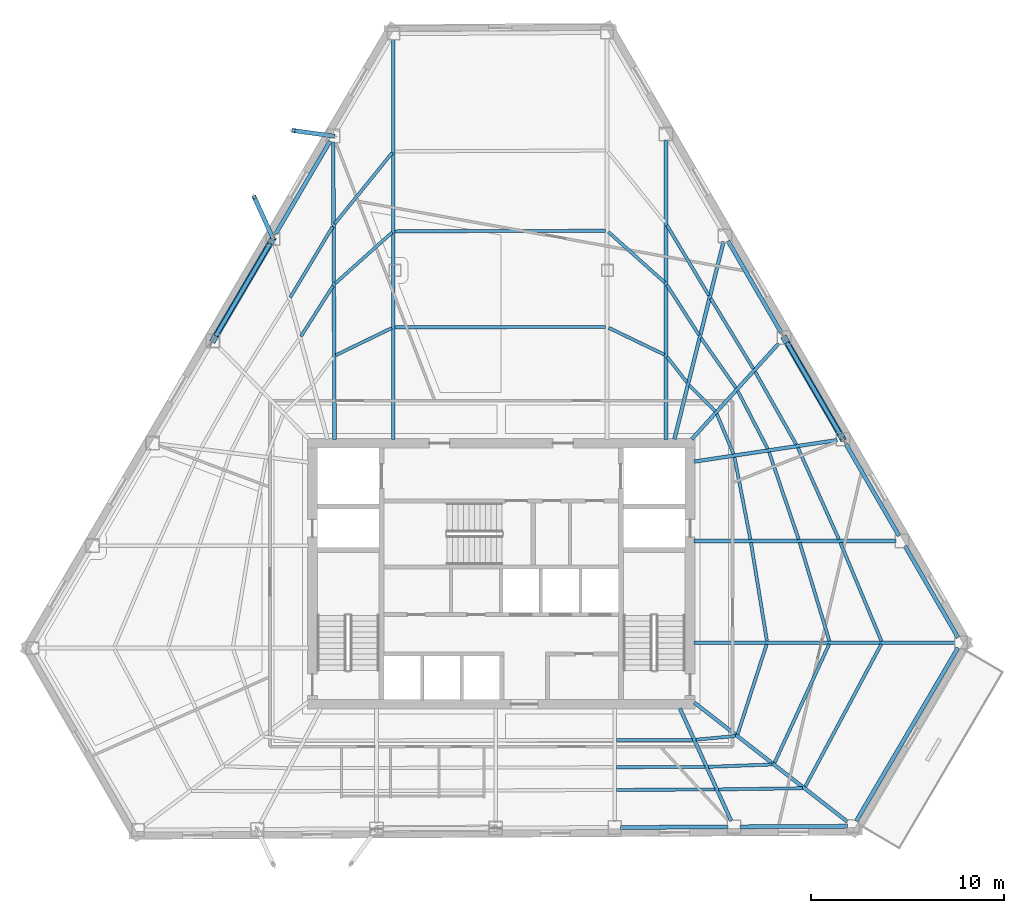
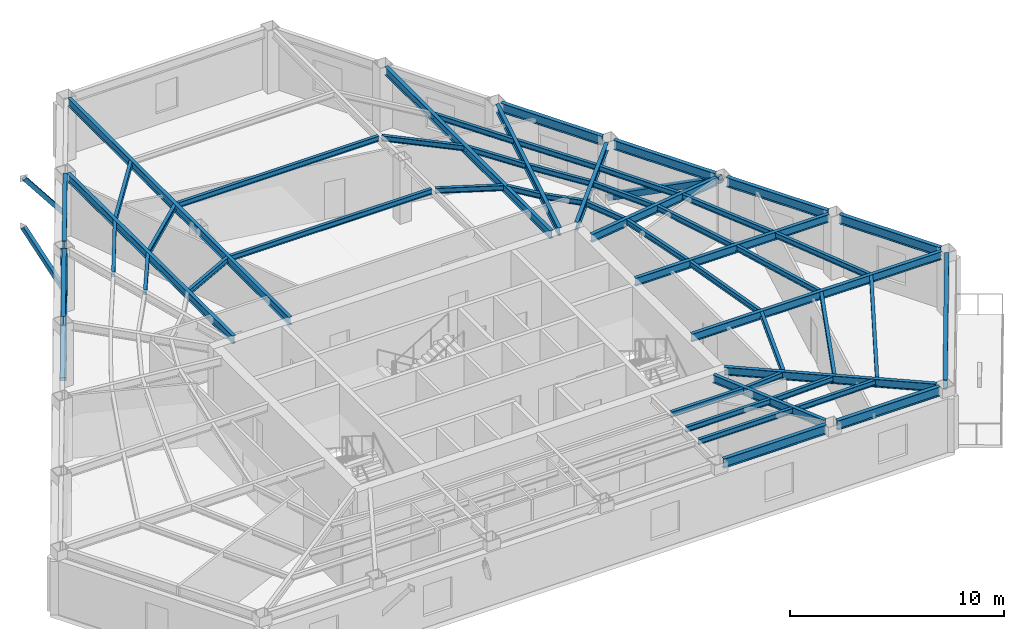
# One storey, part 2 of 11: 52 beams, 4 members.
"""IFC4 building model written with IfcOpenShell, lengths in metres."""

from ifc_helpers import new_model, si_unit, direction, frame, origin, origin_2d, place, context, subcontext, project, spatial, hollow_rectangle, i_section, extrude, material, material_profile, profile_set, type_object, element, save


model = new_model("IFC4")

# Units and contexts
model_context = context("Model", 3, precision=1e-05, world=origin(), true_north=direction((0.0, 1.0)))
body_context = subcontext(model_context, "Body", "Model", "MODEL_VIEW")
ifc_project = project(units=[si_unit("LENGTHUNIT", "METRE"), si_unit("AREAUNIT", "SQUARE_METRE"), si_unit("VOLUMEUNIT", "CUBIC_METRE"), si_unit("PLANEANGLEUNIT", "RADIAN"), si_unit("MASSUNIT", "GRAM", prefix="KILO")], contexts=[model_context])

# Site, building, storey
site_placement = place(None, origin())
site = spatial("IfcSite", under=ifc_project, at=site_placement, CompositionType="ELEMENT")
building_placement = place(site_placement, origin())
building = spatial("IfcBuilding", under=site, at=building_placement, Name="Kavelnor Concourse Tower", CompositionType="ELEMENT")
storey_placement = place(building_placement, frame((0.0, 0.0, 139.39990234375)))
storey = spatial("IfcBuildingStorey", under=building, at=storey_placement, Name="L35", CompositionType="ELEMENT", Elevation=139.39990234375)

# Beams
ifc_material = material(Name="Steel Grade 350", Category="steel")
ifc_material_profile_1 = material_profile(ifc_material, i_section(OverallWidth=0.166015625, OverallDepth=0.306884765625, WebThickness=0.006591796875, FlangeThickness=0.01171875, at=origin_2d()), Name="310UB46")
ifc_profile_set_1 = profile_set([ifc_material_profile_1], Name="Steel Grade 350")
beam_type_1 = type_object("IfcBeamType", Name="BM-JOIST-310", PredefinedType="JOIST", material=ifc_profile_set_1)
beam_1_placement = place(storey_placement, frame((43.964111328125, 7.49609375, 3.446533203125), z_axis=(0.999998150204, 0.001923431324, 0.0), x_axis=(-0.001923431324, 0.999998150204, 0.0)))
element("IfcBeam", 1, at=beam_1_placement, inside=storey, type_object=beam_type_1, Name="L35 Secondary Composite Joist 06-1", PredefinedType="JOIST", context=body_context, shape_type="SweptSolid", body=[
    extrude(i_section(OverallWidth=0.166015625, OverallDepth=0.306884765625, WebThickness=0.006591796875, FlangeThickness=0.01171875, at=origin_2d()), origin(), (0.0, 0.0, 1.0), 3.934814453125),
])
beam_2_placement = place(storey_placement, frame((43.964111328125, 6.0869140625, 3.446533203125), z_axis=(0.999992818404, 0.003789873498, 0.0), x_axis=(-0.003789873498, 0.999992818404, 0.0)))
element("IfcBeam", 2, at=beam_2_placement, inside=storey, type_object=beam_type_1, Name="L35 Secondary Composite Joist 06-2", PredefinedType="JOIST", context=body_context, shape_type="SweptSolid", body=[
    extrude(i_section(OverallWidth=0.166015625, OverallDepth=0.306884765625, WebThickness=0.006591796875, FlangeThickness=0.01171875, at=origin_2d()), origin(), (0.0, 0.0, 1.0), 4.57373046875),
])
beam_3_placement = place(storey_placement, frame((43.964111328125, 4.91259765625, 3.446533203125), z_axis=(0.999987637312, 0.004972446296, 0.0), x_axis=(-0.004972446296, 0.999987637312, 0.0)))
element("IfcBeam", 3, at=beam_3_placement, inside=storey, type_object=beam_type_1, Name="L35 Secondary Composite Joist 06-3", PredefinedType="JOIST", context=body_context, shape_type="SweptSolid", body=[
    extrude(i_section(OverallWidth=0.166015625, OverallDepth=0.306884765625, WebThickness=0.006591796875, FlangeThickness=0.01171875, at=origin_2d()), origin(), (0.0, 0.0, 1.0), 5.106201171875),
])
beam_4_placement = place(storey_placement, frame((48.076416015625, 7.51220703125, 3.446533203125), z_axis=(0.995668430076, 0.092975143716, 0.0), x_axis=(-0.092975143716, 0.995668430076, 0.0)))
element("IfcBeam", 4, at=beam_4_placement, inside=storey, type_object=beam_type_1, Name="L35 Secondary Composite Joist 07-1", PredefinedType="JOIST", context=body_context, shape_type="SweptSolid", body=[
    extrude(i_section(OverallWidth=0.166015625, OverallDepth=0.306884765625, WebThickness=0.006591796875, FlangeThickness=0.01171875, at=origin_2d()), origin(), (0.0, 0.0, 1.0), 2.048095703125),
])
beam_5_placement = place(storey_placement, frame((48.7158203125, 6.10791015625, 3.446533203125), z_axis=(0.999321604394, 0.036828399244, 0.0), x_axis=(-0.036828399244, 0.999321604394, 0.0)))
element("IfcBeam", 5, at=beam_5_placement, inside=storey, type_object=beam_type_1, Name="L35 Secondary Composite Joist 07-2", PredefinedType="JOIST", context=body_context, shape_type="SweptSolid", body=[
    extrude(i_section(OverallWidth=0.166015625, OverallDepth=0.306884765625, WebThickness=0.006591796875, FlangeThickness=0.01171875, at=origin_2d()), origin(), (0.0, 0.0, 1.0), 3.30126953125),
])
beam_6_placement = place(storey_placement, frame((49.248291015625, 4.939697265625, 3.446533203125), z_axis=(0.999903909401, 0.013862610329, 0.0), x_axis=(-0.013862610329, 0.999903909401, 0.0)))
element("IfcBeam", 6, at=beam_6_placement, inside=storey, type_object=beam_type_1, Name="L35 Secondary Composite Joist 07-3", PredefinedType="JOIST", context=body_context, shape_type="SweptSolid", body=[
    extrude(i_section(OverallWidth=0.166015625, OverallDepth=0.306884765625, WebThickness=0.006591796875, FlangeThickness=0.01171875, at=origin_2d()), origin(), (0.0, 0.0, 1.0), 4.35009765625),
])
beam_7_placement = place(storey_placement, frame((50.231689453125, 7.79541015625, 3.446533203125), z_axis=(0.307486789029, 0.951552349886, 0.0), x_axis=(-0.951552349886, 0.307486789029, 0.0)))
element("IfcBeam", 7, at=beam_7_placement, inside=storey, type_object=beam_type_1, Name="L35 Secondary Composite Joist 08-1", PredefinedType="JOIST", context=body_context, shape_type="SweptSolid", body=[
    extrude(i_section(OverallWidth=0.166015625, OverallDepth=0.306884765625, WebThickness=0.006591796875, FlangeThickness=0.01171875, at=origin_2d()), origin(), (0.0, 0.0, 1.0), 4.892578125),
])
beam_8_placement = place(storey_placement, frame((52.14111328125, 6.313720703125, 3.446533203125), z_axis=(0.418297783782, 0.908309949347, 0.0), x_axis=(-0.908309949347, 0.418297783782, 0.0)))
element("IfcBeam", 8, at=beam_8_placement, inside=storey, type_object=beam_type_1, Name="L35 Secondary Composite Joist 08-2", PredefinedType="JOIST", context=body_context, shape_type="SweptSolid", body=[
    extrude(i_section(OverallWidth=0.166015625, OverallDepth=0.306884765625, WebThickness=0.006591796875, FlangeThickness=0.01171875, at=origin_2d()), origin(), (0.0, 0.0, 1.0), 6.760986328125),
])
beam_9_placement = place(storey_placement, frame((53.728759765625, 5.07958984375, 3.446533203125), z_axis=(0.470910942117, 0.882180755058, 0.0), x_axis=(-0.882180755058, 0.470910942117, 0.0)))
element("IfcBeam", 9, at=beam_9_placement, inside=storey, type_object=beam_type_1, Name="L35 Secondary Composite Joist 08-3", PredefinedType="JOIST", context=body_context, shape_type="SweptSolid", body=[
    extrude(i_section(OverallWidth=0.166015625, OverallDepth=0.306884765625, WebThickness=0.006591796875, FlangeThickness=0.01171875, at=origin_2d()), origin(), (0.0, 0.0, 1.0), 8.363037109375),
])
beam_10_placement = place(storey_placement, frame((51.749267578125, 12.62353515625, 3.446533203125), z_axis=(-0.160341843233, 0.987061544843, 0.0), x_axis=(-0.987061544843, -0.160341843233, 0.0)))
element("IfcBeam", 10, at=beam_10_placement, inside=storey, type_object=beam_type_1, Name="L35 Secondary Composite Joist 09-1", PredefinedType="JOIST", context=body_context, shape_type="SweptSolid", body=[
    extrude(i_section(OverallWidth=0.166015625, OverallDepth=0.306884765625, WebThickness=0.006591796875, FlangeThickness=0.01171875, at=origin_2d()), origin(), (0.0, 0.0, 1.0), 5.154052734375),
])
beam_11_placement = place(storey_placement, frame((54.980712890625, 12.620849609375, 3.446533203125), z_axis=(-0.288791880414, 0.957391899802, 0.0), x_axis=(-0.957391899802, -0.288791880414, 0.0)))
element("IfcBeam", 11, at=beam_11_placement, inside=storey, type_object=beam_type_1, Name="L35 Secondary Composite Joist 09-2", PredefinedType="JOIST", context=body_context, shape_type="SweptSolid", body=[
    extrude(i_section(OverallWidth=0.166015625, OverallDepth=0.306884765625, WebThickness=0.006591796875, FlangeThickness=0.01171875, at=origin_2d()), origin(), (0.0, 0.0, 1.0), 5.319091796875),
])
beam_12_placement = place(storey_placement, frame((57.6748046875, 12.617919921875, 3.446533203125), z_axis=(-0.385418397187, 0.922741924435, 0.0), x_axis=(-0.922741924435, -0.385418397187, 0.0)))
element("IfcBeam", 12, at=beam_12_placement, inside=storey, type_object=beam_type_1, Name="L35 Secondary Composite Joist 09-3", PredefinedType="JOIST", context=body_context, shape_type="SweptSolid", body=[
    extrude(i_section(OverallWidth=0.166015625, OverallDepth=0.306884765625, WebThickness=0.006591796875, FlangeThickness=0.01171875, at=origin_2d()), origin(), (0.0, 0.0, 1.0), 5.525634765625),
])
beam_13_placement = place(storey_placement, frame((50.8916015625, 17.885986328125, 3.446533203125), z_axis=(-0.189951635771, 0.98179344878, 0.0), x_axis=(-0.98179344878, -0.189951635771, 0.0)))
element("IfcBeam", 13, at=beam_13_placement, inside=storey, type_object=beam_type_1, Name="L35 Secondary Composite Joist 10-1", PredefinedType="JOIST", context=body_context, shape_type="SweptSolid", body=[
    extrude(i_section(OverallWidth=0.166015625, OverallDepth=0.306884765625, WebThickness=0.006591796875, FlangeThickness=0.01171875, at=origin_2d()), origin(), (0.0, 0.0, 1.0), 4.321044921875),
])
beam_14_placement = place(storey_placement, frame((53.390380859375, 17.883056640625, 3.446533203125), z_axis=(-0.321016705652, 0.94707353183, 0.0), x_axis=(-0.94707353183, -0.321016705652, 0.0)))
element("IfcBeam", 14, at=beam_14_placement, inside=storey, type_object=beam_type_1, Name="L35 Secondary Composite Joist 10-2", PredefinedType="JOIST", context=body_context, shape_type="SweptSolid", body=[
    extrude(i_section(OverallWidth=0.166015625, OverallDepth=0.306884765625, WebThickness=0.006591796875, FlangeThickness=0.01171875, at=origin_2d()), origin(), (0.0, 0.0, 1.0), 4.767822265625),
])
beam_15_placement = place(storey_placement, frame((55.474365234375, 17.8798828125, 3.446533203125), z_axis=(-0.408881938182, 0.91258728932, 0.0), x_axis=(-0.91258728932, -0.408881938182, 0.0)))
element("IfcBeam", 15, at=beam_15_placement, inside=storey, type_object=beam_type_1, Name="L35 Secondary Composite Joist 10-3", PredefinedType="JOIST", context=body_context, shape_type="SweptSolid", body=[
    extrude(i_section(OverallWidth=0.166015625, OverallDepth=0.306884765625, WebThickness=0.006591796875, FlangeThickness=0.01171875, at=origin_2d()), origin(), (0.0, 0.0, 1.0), 5.1982421875),
])
beam_16_placement = place(storey_placement, frame((50.019775390625, 22.2978515625, 3.446533203125), z_axis=(-0.384815891866, 0.92299335283, 0.0), x_axis=(-0.92299335283, -0.384815891866, 0.0)))
element("IfcBeam", 16, at=beam_16_placement, inside=storey, type_object=beam_type_1, Name="L35 Secondary Composite Joist 11-1", PredefinedType="JOIST", context=body_context, shape_type="SweptSolid", body=[
    extrude(i_section(OverallWidth=0.166015625, OverallDepth=0.306884765625, WebThickness=0.006591796875, FlangeThickness=0.01171875, at=origin_2d()), origin(), (0.0, 0.0, 1.0), 2.247802734375),
])
beam_17_placement = place(storey_placement, frame((51.790283203125, 22.561767578125, 3.446533203125), z_axis=(-0.45942881718, 0.888214592283, 0.0), x_axis=(-0.888214592283, -0.45942881718, 0.0)))
element("IfcBeam", 17, at=beam_17_placement, inside=storey, type_object=beam_type_1, Name="L35 Secondary Composite Joist 11-2", PredefinedType="JOIST", context=body_context, shape_type="SweptSolid", body=[
    extrude(i_section(OverallWidth=0.166015625, OverallDepth=0.306884765625, WebThickness=0.006591796875, FlangeThickness=0.01171875, at=origin_2d()), origin(), (0.0, 0.0, 1.0), 3.378173828125),
])
beam_18_placement = place(storey_placement, frame((53.2685546875, 22.78271484375, 3.446533203125), z_axis=(-0.491864009931, 0.870672036839, 0.0), x_axis=(-0.870672036839, -0.491864009931, 0.0)))
element("IfcBeam", 18, at=beam_18_placement, inside=storey, type_object=beam_type_1, Name="L35 Secondary Composite Joist 11-3", PredefinedType="JOIST", context=body_context, shape_type="SweptSolid", body=[
    extrude(i_section(OverallWidth=0.166015625, OverallDepth=0.306884765625, WebThickness=0.006591796875, FlangeThickness=0.01171875, at=origin_2d()), origin(), (0.0, 0.0, 1.0), 4.329833984375),
])
beam_19_placement = place(storey_placement, frame((49.05810546875, 24.51806640625, 3.446533203125), z_axis=(-0.70203904097, 0.712138459117, 0.0), x_axis=(-0.712138459117, -0.70203904097, 0.0)))
element("IfcBeam", 19, at=beam_19_placement, inside=storey, type_object=beam_type_1, Name="L35 Secondary Composite Joist 12-1", PredefinedType="JOIST", context=body_context, shape_type="SweptSolid", body=[
    extrude(i_section(OverallWidth=0.166015625, OverallDepth=0.306884765625, WebThickness=0.006591796875, FlangeThickness=0.01171875, at=origin_2d()), origin(), (0.0, 0.0, 1.0), 1.885498046875),
])
beam_20_placement = place(storey_placement, frame((50.146484375, 25.714111328125, 3.446533203125), z_axis=(-0.573161780515, 0.819442233081, 0.0), x_axis=(-0.819442233081, -0.573161780515, 0.0)))
element("IfcBeam", 20, at=beam_20_placement, inside=storey, type_object=beam_type_1, Name="L35 Secondary Composite Joist 12-2", PredefinedType="JOIST", context=body_context, shape_type="SweptSolid", body=[
    extrude(i_section(OverallWidth=0.166015625, OverallDepth=0.306884765625, WebThickness=0.006591796875, FlangeThickness=0.01171875, at=origin_2d()), origin(), (0.0, 0.0, 1.0), 3.162353515625),
])
beam_21_placement = place(storey_placement, frame((51.048828125, 26.7060546875, 3.446533203125), z_axis=(-0.518913822328, 0.85482655843, 0.0), x_axis=(-0.85482655843, -0.518913822328, 0.0)))
element("IfcBeam", 21, at=beam_21_placement, inside=storey, type_object=beam_type_1, Name="L35 Secondary Composite Joist 12-3", PredefinedType="JOIST", context=body_context, shape_type="SweptSolid", body=[
    extrude(i_section(OverallWidth=0.166015625, OverallDepth=0.306884765625, WebThickness=0.006591796875, FlangeThickness=0.01171875, at=origin_2d()), origin(), (0.0, 0.0, 1.0), 4.259765625),
])
beam_22_placement = place(storey_placement, frame((47.6171875, 25.99462890625, 3.446533203125), z_axis=(-0.613569953295, 0.789640369037, 0.0), x_axis=(-0.789640369037, -0.613569953295, 0.0)))
element("IfcBeam", 22, at=beam_22_placement, inside=storey, type_object=beam_type_1, Name="L35 Secondary Composite Joist 13-1", PredefinedType="JOIST", context=body_context, shape_type="SweptSolid", body=[
    extrude(i_section(OverallWidth=0.166015625, OverallDepth=0.306884765625, WebThickness=0.006591796875, FlangeThickness=0.01171875, at=origin_2d()), origin(), (0.0, 0.0, 1.0), 1.6875),
])
beam_23_placement = place(storey_placement, frame((48.235107421875, 28.453369140625, 3.446533203125), z_axis=(-0.540042815267, 0.841637545312, 0.0), x_axis=(-0.841637545312, -0.540042815267, 0.0)))
element("IfcBeam", 23, at=beam_23_placement, inside=storey, type_object=beam_type_1, Name="L35 Secondary Composite Joist 13-2", PredefinedType="JOIST", context=body_context, shape_type="SweptSolid", body=[
    extrude(i_section(OverallWidth=0.166015625, OverallDepth=0.306884765625, WebThickness=0.006591796875, FlangeThickness=0.01171875, at=origin_2d()), origin(), (0.0, 0.0, 1.0), 3.07373046875),
])
beam_24_placement = place(storey_placement, frame((48.74658203125, 30.499755859375, 3.446533203125), z_axis=(-0.513020680748, 0.858376246832, 0.0), x_axis=(-0.858376246832, -0.513020680748, 0.0)))
element("IfcBeam", 24, at=beam_24_placement, inside=storey, type_object=beam_type_1, Name="L35 Secondary Composite Joist 13-3", PredefinedType="JOIST", context=body_context, shape_type="SweptSolid", body=[
    extrude(i_section(OverallWidth=0.166015625, OverallDepth=0.306884765625, WebThickness=0.006591796875, FlangeThickness=0.01171875, at=origin_2d()), origin(), (0.0, 0.0, 1.0), 4.2373046875),
])
beam_25_placement = place(storey_placement, frame((46.447021484375, 27.43603515625, 3.446533203125), z_axis=(-0.900587547109, 0.434674671442, 0.0), x_axis=(-0.434674671442, -0.900587547109, 0.0)))
element("IfcBeam", 25, at=beam_25_placement, inside=storey, type_object=beam_type_1, Name="L35 Secondary Composite Joist 14-1", PredefinedType="JOIST", context=body_context, shape_type="SweptSolid", body=[
    extrude(i_section(OverallWidth=0.166015625, OverallDepth=0.306884765625, WebThickness=0.006591796875, FlangeThickness=0.01171875, at=origin_2d()), origin(), (0.0, 0.0, 1.0), 3.212158203125),
])
beam_26_placement = place(storey_placement, frame((46.460693359375, 31.174560546875, 3.446533203125), z_axis=(-0.744617448498, 0.667491464659, 0.0), x_axis=(-0.667491464659, -0.744617448498, 0.0)))
element("IfcBeam", 26, at=beam_26_placement, inside=storey, type_object=beam_type_1, Name="L35 Secondary Composite Joist 14-2", PredefinedType="JOIST", context=body_context, shape_type="SweptSolid", body=[
    extrude(i_section(OverallWidth=0.166015625, OverallDepth=0.306884765625, WebThickness=0.006591796875, FlangeThickness=0.01171875, at=origin_2d()), origin(), (0.0, 0.0, 1.0), 3.922119140625),
])
for number, where, z_axis, x_axis, name in (
    (27, (43.385009765625, 28.870849609375, 3.446533203125), (-0.999998801762, -0.001548055221, 0.0), (0.001548055221, -0.999998801762, 0.0), "L35 Secondary Composite Joist 15-1"),
    (28, (43.385009765625, 33.851806640625, 3.446533203125), (-0.999995746664, -0.002916616869, 0.0), (0.002916616869, -0.999995746664, 0.0), "L35 Secondary Composite Joist 15-2"),
):
    element("IfcBeam", number, at=place(storey_placement, frame(where, z_axis=z_axis, x_axis=x_axis)), inside=storey, type_object=beam_type_1, Name=name, PredefinedType="JOIST", context=body_context, shape_type="SweptSolid", body=[
        extrude(i_section(OverallWidth=0.166015625, OverallDepth=0.306884765625, WebThickness=0.006591796875, FlangeThickness=0.01171875, at=origin_2d()), origin(), (0.0, 0.0, 1.0), 10.8818359375),
    ])
beam_27_placement = place(storey_placement, frame((32.333984375, 28.81494140625, 3.446533203125), z_axis=(-0.899843839723, -0.436212177859, 0.0), x_axis=(0.436212177859, -0.899843839723, 0.0)))
element("IfcBeam", 29, at=beam_27_placement, inside=storey, type_object=beam_type_1, Name="L35 Secondary Composite Joist 16-1", PredefinedType="JOIST", context=body_context, shape_type="SweptSolid", body=[
    extrude(i_section(OverallWidth=0.166015625, OverallDepth=0.306884765625, WebThickness=0.006591796875, FlangeThickness=0.01171875, at=origin_2d()), origin(), (0.0, 0.0, 1.0), 3.22314453125),
])
beam_28_placement = place(storey_placement, frame((32.347900390625, 33.760498046875, 3.446533203125), z_axis=(-0.745032902238, -0.667027716503, 0.0), x_axis=(0.667027716503, -0.745032902238, 0.0)))
element("IfcBeam", 30, at=beam_28_placement, inside=storey, type_object=beam_type_1, Name="L35 Secondary Composite Joist 16-2", PredefinedType="JOIST", context=body_context, shape_type="SweptSolid", body=[
    extrude(i_section(OverallWidth=0.166015625, OverallDepth=0.306884765625, WebThickness=0.006591796875, FlangeThickness=0.01171875, at=origin_2d()), origin(), (0.0, 0.0, 1.0), 3.952880859375),
])
beam_29_placement = place(storey_placement, frame((32.358154296875, 37.88916015625, 3.446533203125), z_axis=(-0.629652214729, -0.776877138605, 0.0), x_axis=(0.776877138605, -0.629652214729, 0.0)))
element("IfcBeam", 31, at=beam_29_placement, inside=storey, type_object=beam_type_1, Name="L35 Secondary Composite Joist 16-3", PredefinedType="JOIST", context=body_context, shape_type="SweptSolid", body=[
    extrude(i_section(OverallWidth=0.166015625, OverallDepth=0.306884765625, WebThickness=0.006591796875, FlangeThickness=0.01171875, at=origin_2d()), origin(), (0.0, 0.0, 1.0), 4.732666015625),
])
beam_30_placement = place(storey_placement, frame((29.288818359375, 30.989501953125, 3.446533203125), z_axis=(-0.536466083346, -0.843921881112, 0.0), x_axis=(0.843921881112, -0.536466083346, 0.0)))
element("IfcBeam", 32, at=beam_30_placement, inside=storey, type_object=beam_type_1, Name="L35 Secondary Composite Joist 17-2", PredefinedType="JOIST", context=body_context, shape_type="SweptSolid", body=[
    extrude(i_section(OverallWidth=0.166015625, OverallDepth=0.306884765625, WebThickness=0.006591796875, FlangeThickness=0.01171875, at=origin_2d()), origin(), (0.0, 0.0, 1.0), 3.08740234375),
])
beam_31_placement = place(storey_placement, frame((29.2763671875, 34.06689453125, 3.446533203125), z_axis=(-0.513848165265, -0.857881147394, 0.0), x_axis=(0.857881147394, -0.513848165265, 0.0)))
element("IfcBeam", 33, at=beam_31_placement, inside=storey, type_object=beam_type_1, Name="L35 Secondary Composite Joist 17-3", PredefinedType="JOIST", context=body_context, shape_type="SweptSolid", body=[
    extrude(i_section(OverallWidth=0.166015625, OverallDepth=0.306884765625, WebThickness=0.006591796875, FlangeThickness=0.01171875, at=origin_2d()), origin(), (0.0, 0.0, 1.0), 4.27001953125),
])
ifc_material_profile_2 = material_profile(ifc_material, i_section(OverallWidth=0.18994140625, OverallDepth=0.4541015625, WebThickness=0.008544921875, FlangeThickness=0.0126953125, at=origin_2d()), Name="460UB67")
ifc_profile_set_2 = profile_set([ifc_material_profile_2], Name="Steel Grade 350")
beam_type_2 = type_object("IfcBeamType", Name="BM-PRIMARY-460", PredefinedType="BEAM", material=ifc_profile_set_2)
beam_32_placement = place(storey_placement, frame((32.4140625, 23.06005859375, 3.373046875), z_axis=(0.0, 1.0, 0.0), x_axis=(-1.0, 0.0, 0.0)))
element("IfcBeam", 34, at=beam_32_placement, inside=storey, type_object=beam_type_2, Name="L35 Primary Floor Girder F0-B0", PredefinedType="BEAM", context=body_context, shape_type="SweptSolid", body=[
    extrude(i_section(OverallWidth=0.18994140625, OverallDepth=0.4541015625, WebThickness=0.008544921875, FlangeThickness=0.0126953125, at=origin_2d()), origin(), (0.0, 0.0, 1.0), 20.692138671875),
])
beam_33_placement = place(storey_placement, frame((29.373779296875, 23.06005859375, 3.373046875), z_axis=(-0.004662841254, 0.999989128897, 0.0), x_axis=(-0.999989128897, -0.004662841254, 0.0)))
element("IfcBeam", 35, at=beam_33_placement, inside=storey, type_object=beam_type_2, Name="L35 Primary Floor Girder F0-B1", PredefinedType="BEAM", context=body_context, shape_type="SweptSolid", body=[
    extrude(i_section(OverallWidth=0.18994140625, OverallDepth=0.4541015625, WebThickness=0.008544921875, FlangeThickness=0.0126953125, at=origin_2d()), origin(), (0.0, 0.0, 1.0), 15.3935546875),
])
beam_34_placement = place(storey_placement, frame((47.24267578125, 9.136474609375, 3.373046875), z_axis=(0.415317704408, -0.90967642841, 0.0), x_axis=(0.90967642841, 0.415317704408, 0.0)))
element("IfcBeam", 36, at=beam_34_placement, inside=storey, type_object=beam_type_2, Name="L35 Primary Floor Girder F1-B5", PredefinedType="BEAM", context=body_context, shape_type="SweptSolid", body=[
    extrude(i_section(OverallWidth=0.18994140625, OverallDepth=0.4541015625, WebThickness=0.008544921875, FlangeThickness=0.0126953125, at=origin_2d()), origin(), (0.0, 0.0, 1.0), 6.4091796875),
])
beam_35_placement = place(storey_placement, frame((47.98828125, 9.435302734375, 3.373046875), z_axis=(0.789222421142, -0.614107457996, 0.0), x_axis=(0.614107457996, 0.789222421142, 0.0)))
element("IfcBeam", 37, at=beam_35_placement, inside=storey, type_object=beam_type_2, Name="L35 Primary Floor Girder F1-B6", PredefinedType="BEAM", context=body_context, shape_type="SweptSolid", body=[
    extrude(i_section(OverallWidth=0.18994140625, OverallDepth=0.4541015625, WebThickness=0.008544921875, FlangeThickness=0.0126953125, at=origin_2d()), origin(), (0.0, 0.0, 1.0), 10.0283203125),
])
beam_36_placement = place(storey_placement, frame((47.97998046875, 12.53564453125, 3.373046875), z_axis=(1.0, 0.0, 0.0), x_axis=(0.0, 1.0, 0.0)))
element("IfcBeam", 38, at=beam_36_placement, inside=storey, type_object=beam_type_2, Name="L35 Primary Floor Girder F2-B0", PredefinedType="BEAM", context=body_context, shape_type="SweptSolid", body=[
    extrude(i_section(OverallWidth=0.18994140625, OverallDepth=0.4541015625, WebThickness=0.008544921875, FlangeThickness=0.0126953125, at=origin_2d()), origin(), (0.0, 0.0, 1.0), 13.512451171875),
])
beam_37_placement = place(storey_placement, frame((47.97998046875, 17.798583984375, 3.373046875), z_axis=(1.0, 0.0, 0.0), x_axis=(0.0, 1.0, 0.0)))
element("IfcBeam", 39, at=beam_37_placement, inside=storey, type_object=beam_type_2, Name="L35 Primary Floor Girder F2-B1", PredefinedType="BEAM", context=body_context, shape_type="SweptSolid", body=[
    extrude(i_section(OverallWidth=0.18994140625, OverallDepth=0.4541015625, WebThickness=0.008544921875, FlangeThickness=0.0126953125, at=origin_2d()), origin(), (0.0, 0.0, 1.0), 10.45947265625),
])
beam_38_placement = place(storey_placement, frame((47.98046875, 21.904296875, 3.373046875), z_axis=(0.988907399049, 0.148533350149, 0.0), x_axis=(-0.148533350149, 0.988907399049, 0.0)))
element("IfcBeam", 40, at=beam_38_placement, inside=storey, type_object=beam_type_2, Name="L35 Primary Floor Girder F2-B2", PredefinedType="BEAM", context=body_context, shape_type="SweptSolid", body=[
    extrude(i_section(OverallWidth=0.18994140625, OverallDepth=0.4541015625, WebThickness=0.008544921875, FlangeThickness=0.0126953125, at=origin_2d()), origin(), (0.0, 0.0, 1.0), 7.488525390625),
])
beam_39_placement = place(storey_placement, frame((47.864013671875, 23.0703125, 3.373046875), z_axis=(0.672092022144, 0.740467631818, 0.0), x_axis=(-0.740467631818, 0.672092022144, 0.0)))
element("IfcBeam", 41, at=beam_39_placement, inside=storey, type_object=beam_type_2, Name="L35 Primary Floor Girder F2-B3", PredefinedType="BEAM", context=body_context, shape_type="SweptSolid", body=[
    extrude(i_section(OverallWidth=0.18994140625, OverallDepth=0.4541015625, WebThickness=0.008544921875, FlangeThickness=0.0126953125, at=origin_2d()), origin(), (0.0, 0.0, 1.0), 6.677001953125),
])
beam_40_placement = place(storey_placement, frame((46.958984375, 23.061279296875, 3.373046875), z_axis=(0.241625129307, 0.970369670222, 0.0), x_axis=(-0.970369670222, 0.241625129307, 0.0)))
element("IfcBeam", 42, at=beam_40_placement, inside=storey, type_object=beam_type_2, Name="L35 Primary Floor Girder F2-B4", PredefinedType="BEAM", context=body_context, shape_type="SweptSolid", body=[
    extrude(i_section(OverallWidth=0.18994140625, OverallDepth=0.4541015625, WebThickness=0.008544921875, FlangeThickness=0.0126953125, at=origin_2d()), origin(), (0.0, 0.0, 1.0), 10.53759765625),
])
beam_41_placement = place(storey_placement, frame((46.527099609375, 23.06005859375, 3.373046875), z_axis=(0.0, 1.0, 0.0), x_axis=(-1.0, 0.0, 0.0)))
element("IfcBeam", 43, at=beam_41_placement, inside=storey, type_object=beam_type_2, Name="L35 Primary Floor Girder F2-B5", PredefinedType="BEAM", context=body_context, shape_type="SweptSolid", body=[
    extrude(i_section(OverallWidth=0.18994140625, OverallDepth=0.4541015625, WebThickness=0.008544921875, FlangeThickness=0.0126953125, at=origin_2d()), origin(), (0.0, 0.0, 1.0), 15.49072265625),
])
ifc_material_profile_3 = material_profile(ifc_material, i_section(OverallWidth=0.208984375, OverallDepth=0.532958984375, WebThickness=0.01025390625, FlangeThickness=0.015625, at=origin_2d()), Name="530UB92")
ifc_profile_set_3 = profile_set([ifc_material_profile_3], Name="Steel Grade 350")
beam_type_3 = type_object("IfcBeamType", Name="BM-SPANDREL-Z2", PredefinedType="SPANDREL", material=ifc_profile_set_3)
beam_42_placement = place(storey_placement, frame((29.146240234375, 38.490234375, 3.33349609375), z_axis=(-0.506594127896, -0.862184660952, 0.0), x_axis=(0.862184660952, -0.506594127896, 0.0)))
element("IfcBeam", 44, at=beam_42_placement, inside=storey, type_object=beam_type_3, Name="L35 Perimeter Tube Spandrel Beam F0-B1", PredefinedType="SPANDREL", context=body_context, shape_type="SweptSolid", body=[
    extrude(i_section(OverallWidth=0.208984375, OverallDepth=0.532958984375, WebThickness=0.01025390625, FlangeThickness=0.015625, at=origin_2d()), origin(), (0.0, 0.0, 1.0), 5.535888671875),
])
beam_43_placement = place(storey_placement, frame((26.03271484375, 33.19140625, 3.33349609375), z_axis=(-0.50661339106, -0.862173342199, 0.0), x_axis=(0.862173342199, -0.50661339106, 0.0)))
element("IfcBeam", 45, at=beam_43_placement, inside=storey, type_object=beam_type_3, Name="L35 Perimeter Tube Spandrel Beam F0-B2", PredefinedType="SPANDREL", context=body_context, shape_type="SweptSolid", body=[
    extrude(i_section(OverallWidth=0.208984375, OverallDepth=0.532958984375, WebThickness=0.01025390625, FlangeThickness=0.015625, at=origin_2d()), origin(), (0.0, 0.0, 1.0), 5.53564453125),
])
beam_44_placement = place(storey_placement, frame((44.18017578125, 2.9697265625, 3.33349609375), z_axis=(0.999984439197, 0.005578652483, 0.0), x_axis=(-0.005578652483, 0.999984439197, 0.0)))
element("IfcBeam", 46, at=beam_44_placement, inside=storey, type_object=beam_type_3, Name="L35 Perimeter Tube Spandrel Beam F1-B4", PredefinedType="SPANDREL", context=body_context, shape_type="SweptSolid", body=[
    extrude(i_section(OverallWidth=0.208984375, OverallDepth=0.532958984375, WebThickness=0.01025390625, FlangeThickness=0.015625, at=origin_2d()), origin(), (0.0, 0.0, 1.0), 5.557861328125),
])
beam_45_placement = place(storey_placement, frame((50.34814453125, 3.004150390625, 3.33349609375), z_axis=(0.999984440564, 0.005578407448, 0.0), x_axis=(-0.005578407448, 0.999984440564, 0.0)))
element("IfcBeam", 47, at=beam_45_placement, inside=storey, type_object=beam_type_3, Name="L35 Perimeter Tube Spandrel Beam F1-B5", PredefinedType="SPANDREL", context=body_context, shape_type="SweptSolid", body=[
    extrude(i_section(OverallWidth=0.208984375, OverallDepth=0.532958984375, WebThickness=0.01025390625, FlangeThickness=0.015625, at=origin_2d()), origin(), (0.0, 0.0, 1.0), 5.55810546875),
])
for number, where, z_axis, x_axis, name in (
    (48, (61.639404296875, 12.799560546875, 3.33349609375), (-0.501795506942, 0.864986282673, 0.0), (-0.864986282673, -0.501795506942, 0.0), "L35 Perimeter Tube Spandrel Beam F2-B0"),
    (49, (58.58642578125, 18.0625, 3.33349609375), (-0.501795506942, 0.864986282673, 0.0), (-0.864986282673, -0.501795506942, 0.0), "L35 Perimeter Tube Spandrel Beam F2-B1"),
    (50, (55.533203125, 23.325439453125, 3.33349609375), (-0.501795506942, 0.864986282673, 0.0), (-0.864986282673, -0.501795506942, 0.0), "L35 Perimeter Tube Spandrel Beam F2-B2"),
):
    element("IfcBeam", number, at=place(storey_placement, frame(where, z_axis=z_axis, x_axis=x_axis)), inside=storey, type_object=beam_type_3, Name=name, PredefinedType="SPANDREL", context=body_context, shape_type="SweptSolid", body=[
        extrude(i_section(OverallWidth=0.208984375, OverallDepth=0.532958984375, WebThickness=0.01025390625, FlangeThickness=0.015625, at=origin_2d()), origin(), (0.0, 0.0, 1.0), 5.474365234375),
    ])
beam_46_placement = place(storey_placement, frame((52.480224609375, 28.58837890625, 3.33349609375), z_axis=(-0.501776150786, 0.864997511269, 0.0), x_axis=(-0.864997511269, -0.501776150786, 0.0)))
element("IfcBeam", 51, at=beam_46_placement, inside=storey, type_object=beam_type_3, Name="L35 Perimeter Tube Spandrel Beam F2-B3", PredefinedType="SPANDREL", context=body_context, shape_type="SweptSolid", body=[
    extrude(i_section(OverallWidth=0.208984375, OverallDepth=0.532958984375, WebThickness=0.01025390625, FlangeThickness=0.015625, at=origin_2d()), origin(), (0.0, 0.0, 1.0), 5.474609375),
])
beam_47_placement = place(storey_placement, frame((56.36572265625, 3.2998046875, 3.33349609375), z_axis=(0.50659460868, 0.862184378458, 0.0), x_axis=(-0.862184378458, 0.50659460868, 0.0)))
element("IfcBeam", 52, at=beam_47_placement, inside=storey, type_object=beam_type_3, Name="L35 Chamfer Facet Spandrel Beam C2", PredefinedType="SPANDREL", context=body_context, shape_type="SweptSolid", body=[
    extrude(i_section(OverallWidth=0.208984375, OverallDepth=0.532958984375, WebThickness=0.01025390625, FlangeThickness=0.015625, at=origin_2d()), origin(), (0.0, 0.0, 1.0), 10.4072265625),
])

# Members
ifc_material_profile_4 = material_profile(ifc_material, hollow_rectangle(XDim=0.219970703125, YDim=0.219970703125, WallThickness=0.013916015625, at=origin_2d()), Name="SHS 220x220x14")
ifc_profile_set_4 = profile_set([ifc_material_profile_4], Name="Steel Grade 350")
member_type_1 = type_object("IfcMemberType", Name="MBR-BALC-STRUT-220", PredefinedType="STRUT", material=ifc_profile_set_4)
member_1_placement = place(storey_placement, frame((29.30078125, 38.75341796875, 1.050048828125), z_axis=(-0.617539487005, 0.085225872005, 0.78190890309), x_axis=(-0.13671297568, -0.990610701679, 0.0)))
element("IfcMember", 53, at=member_1_placement, inside=storey, type_object=member_type_1, Name="L35 Tree Balcony Raking Knee Strut 1-A", PredefinedType="STRUT", context=body_context, shape_type="SweptSolid", body=[
    extrude(hollow_rectangle(XDim=0.219970703125, YDim=0.219970703125, WallThickness=0.013916015625, at=origin_2d()), origin(), (0.0, 0.0, 1.0), 3.33154296875),
])
member_2_placement = place(storey_placement, frame((26.187255859375, 33.454345703125, 1.050048828125), z_axis=(-0.275744508774, 0.608729533781, 0.743917549587), x_axis=(-0.9109016536, -0.41262352995, 0.0)))
element("IfcMember", 54, at=member_2_placement, inside=storey, type_object=member_type_1, Name="L35 Tree Balcony Raking Knee Strut 1-B", PredefinedType="STRUT", context=body_context, shape_type="SweptSolid", body=[
    extrude(hollow_rectangle(XDim=0.219970703125, YDim=0.219970703125, WallThickness=0.013916015625, at=origin_2d()), origin(), (0.0, 0.0, 1.0), 3.501708984375),
])
ifc_material_profile_5 = material_profile(ifc_material, hollow_rectangle(XDim=0.320068359375, YDim=0.320068359375, WallThickness=0.01806640625, at=origin_2d()), Name="SHS 320x320x18")
ifc_profile_set_5 = profile_set([ifc_material_profile_5], Name="Steel Grade 350")
member_type_2 = type_object("IfcMemberType", Name="MBR-TUBE-DIAG-Z2", PredefinedType="BRACE", material=ifc_profile_set_5)
member_3_placement = place(storey_placement, frame((23.07373046875, 28.155517578125, 0.22021484375), z_axis=(0.451928368287, 0.769125170965, 0.451892931263), x_axis=(-0.862178180319, 0.50660515728, 0.0)))
element("IfcMember", 55, at=member_3_placement, inside=storey, type_object=member_type_2, Name="L35 Framed-Tube Bracing Diagonal F0-B2", PredefinedType="BRACE", context=body_context, shape_type="SweptSolid", body=[
    extrude(hollow_rectangle(XDim=0.320068359375, YDim=0.320068359375, WallThickness=0.01806640625, at=origin_2d()), origin(), (0.0, 0.0, 1.0), 6.889404296875),
])
member_4_placement = place(storey_placement, frame((52.63330078125, 28.32470703125, 0.22021484375), z_axis=(0.446694673392, -0.770043748445, 0.455517830875), x_axis=(0.864997402626, 0.501776338073, 0.0)))
element("IfcMember", 56, at=member_4_placement, inside=storey, type_object=member_type_2, Name="L35 Framed-Tube Bracing Diagonal F2-B2", PredefinedType="BRACE", context=body_context, shape_type="SweptSolid", body=[
    extrude(hollow_rectangle(XDim=0.320068359375, YDim=0.320068359375, WallThickness=0.01806640625, at=origin_2d()), origin(), (0.0, 0.0, 1.0), 6.834716796875),
])

save(model, "model.ifc")
